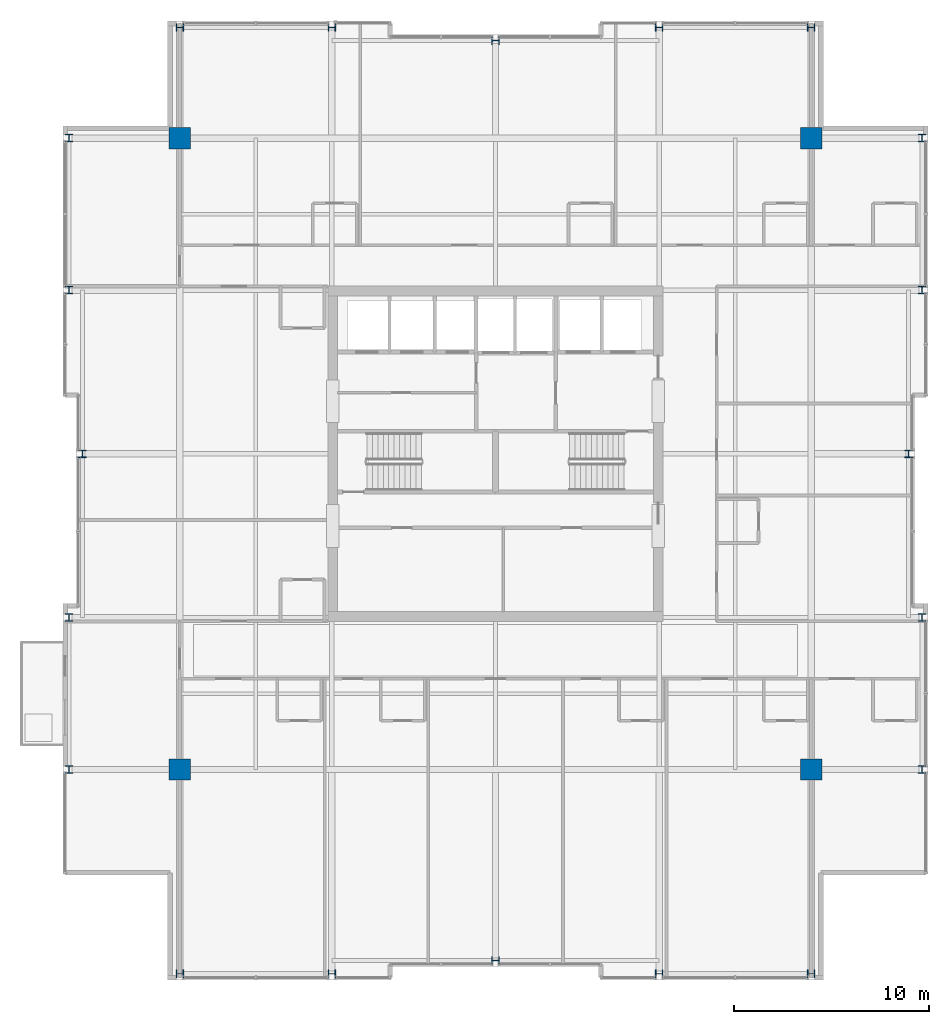
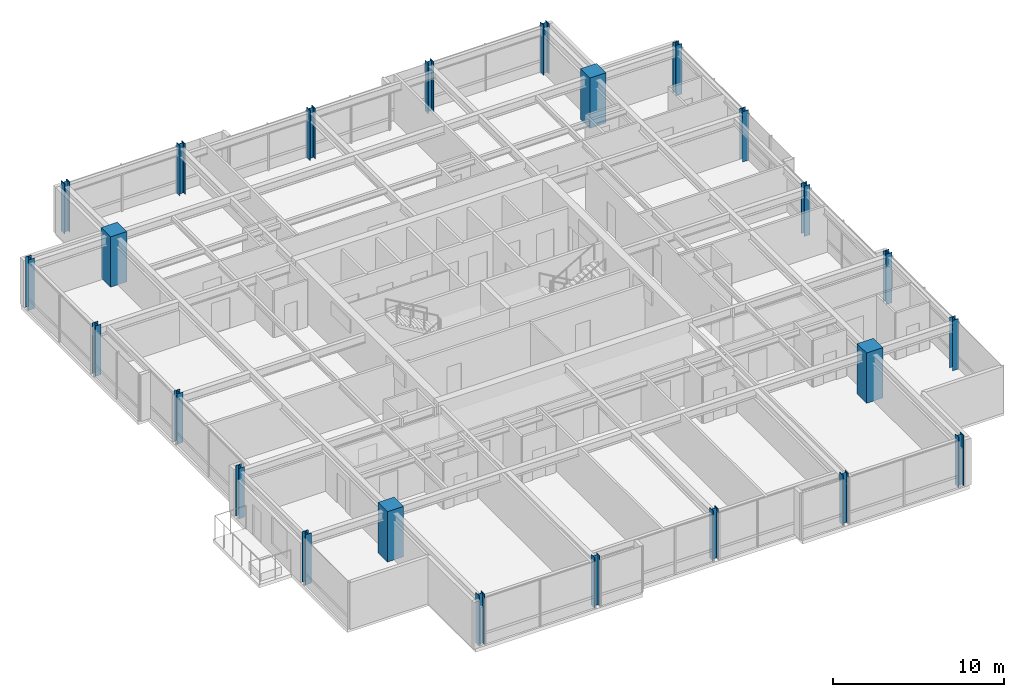
# One storey, part 1 of 31: 24 columns.
"""IFC4 building model written with IfcOpenShell, lengths in metres."""

from ifc_helpers import new_model, si_unit, direction, frame, origin, origin_2d, place, context, subcontext, project, spatial, rectangle, i_section, extrude, material, material_profile, profile_set, type_object, element, save


model = new_model("IFC4")

# Units and contexts
model_context = context("Model", 3, precision=1e-05, world=origin(), true_north=direction((0.0, 1.0)))
body_context = subcontext(model_context, "Body", "Model", "MODEL_VIEW")
ifc_project = project(units=[si_unit("LENGTHUNIT", "METRE"), si_unit("AREAUNIT", "SQUARE_METRE"), si_unit("VOLUMEUNIT", "CUBIC_METRE"), si_unit("PLANEANGLEUNIT", "RADIAN"), si_unit("MASSUNIT", "GRAM", prefix="KILO")], contexts=[model_context])

# Site, building, storey
site_placement = place(None, origin())
site = spatial("IfcSite", under=ifc_project, at=site_placement, CompositionType="ELEMENT")
building_placement = place(site_placement, origin())
building = spatial("IfcBuilding", under=site, at=building_placement, Name="Drelvath Grand Hotel", CompositionType="ELEMENT")
storey_placement = place(building_placement, frame((0.0, 0.0, 230.300048828125)))
storey = spatial("IfcBuildingStorey", under=building, at=storey_placement, Name="L60", CompositionType="ELEMENT", Elevation=230.300048828125)

# Columns
ifc_material_1 = material(Name="Concrete f'c 55 MPa", Category="concrete")
ifc_material_profile_1 = material_profile(ifc_material_1, rectangle(XDim=1.10009765625, YDim=1.10009765625, at=origin_2d()), Name="MC1100X1100")
ifc_profile_set_1 = profile_set([ifc_material_profile_1], Name="Concrete f'c 55 MPa")
column_type_1 = type_object("IfcColumnType", Name="Composite Mega Column MC1100X1100", PredefinedType="COLUMN", material=ifc_profile_set_1)
for number, where, z_axis, x_axis, name in (
    (1, (-16.199951171875, 10.800048828125, 0.0), (0.0, 0.0, 1.0), (1.0, 0.0, 0.0), "L60 Composite Mega Column MC-SW"),
    (2, (16.199951171875, 10.800048828125, 0.0), (0.0, 0.0, 1.0), (1.0, 0.0, 0.0), "L60 Composite Mega Column MC-SE"),
    (3, (-16.199951171875, 43.199951171875, 0.0), (0.0, 0.0, 1.0), (1.0, 0.0, 0.0), "L60 Composite Mega Column MC-NW"),
    (4, (16.199951171875, 43.199951171875, 0.0), (0.0, 0.0, 1.0), (1.0, 0.0, 0.0), "L60 Composite Mega Column MC-NE"),
):
    element("IfcColumn", number, at=place(storey_placement, frame(where, z_axis=z_axis, x_axis=x_axis)), inside=storey, type_object=column_type_1, Name=name, PredefinedType="COLUMN", context=body_context, shape_type="SweptSolid", body=[
        extrude(rectangle(XDim=1.10009765625, YDim=1.10009765625, at=origin_2d()), origin(), (0.0, 0.0, 1.0), 3.599853515625),
    ])
ifc_material_2 = material(Name="Steel ASTM A913 Gr 65", Category="steel")
ifc_material_profile_2 = material_profile(ifc_material_2, i_section(OverallWidth=0.3974609375, OverallDepth=0.38671875, WebThickness=0.02099609375, FlangeThickness=0.033203125, FilletRadius=0.02490234375, at=origin_2d()), Name="W14X176")
ifc_profile_set_2 = profile_set([ifc_material_profile_2], Name="Steel ASTM A913 Gr 65")
column_type_2 = type_object("IfcColumnType", Name="Perimeter Steel Column W14X176", PredefinedType="COLUMN", material=ifc_profile_set_2)
for number, where, z_axis, x_axis, name in (
    (5, (-21.8798828125, 10.800048828125, 0.0), (0.0, 0.0, 1.0), (1.0, 0.0, 0.0), "L60 Structural Column TCW-C"),
    (6, (21.8798828125, 10.800048828125, 0.0), (0.0, 0.0, 1.0), (1.0, 0.0, 0.0), "L60 Structural Column TCE-C"),
    (7, (-21.8798828125, 18.60009765625, 0.0), (0.0, 0.0, 1.0), (1.0, 0.0, 0.0), "L60 Structural Column TCW-D"),
    (8, (21.8798828125, 18.60009765625, 0.0), (0.0, 0.0, 1.0), (1.0, 0.0, 0.0), "L60 Structural Column TCE-D"),
    (9, (-21.199951171875, 27.0, 0.0), (0.0, 0.0, 1.0), (1.0, 0.0, 0.0), "L60 Structural Column TCW-E"),
    (10, (21.199951171875, 27.0, 0.0), (0.0, 0.0, 1.0), (1.0, 0.0, 0.0), "L60 Structural Column TCE-E"),
    (11, (-21.8798828125, 35.39990234375, 0.0), (0.0, 0.0, 1.0), (1.0, 0.0, 0.0), "L60 Structural Column TCW-F"),
    (12, (21.8798828125, 35.39990234375, 0.0), (0.0, 0.0, 1.0), (1.0, 0.0, 0.0), "L60 Structural Column TCE-F"),
    (13, (-21.8798828125, 43.199951171875, 0.0), (0.0, 0.0, 1.0), (1.0, 0.0, 0.0), "L60 Structural Column TCW-G"),
    (14, (21.8798828125, 43.199951171875, 0.0), (0.0, 0.0, 1.0), (1.0, 0.0, 0.0), "L60 Structural Column TCE-G"),
    (15, (-16.199951171875, 0.320068359375, 0.0), (0.0, 0.0, 1.0), (0.0, 1.0, 0.0), "L60 Structural Column TCS-3"),
    (16, (-16.199951171875, 48.8798828125, 0.0), (0.0, 0.0, 1.0), (0.0, 1.0, 0.0), "L60 Structural Column TCN-3"),
    (17, (-8.39990234375, 0.320068359375, 0.0), (0.0, 0.0, 1.0), (0.0, 1.0, 0.0), "L60 Structural Column TCS-4"),
    (18, (-8.39990234375, 48.8798828125, 0.0), (0.0, 0.0, 1.0), (0.0, 1.0, 0.0), "L60 Structural Column TCN-4"),
    (19, (0.0, 1.0, 0.0), (0.0, 0.0, 1.0), (0.0, 1.0, 0.0), "L60 Structural Column TCS-5"),
    (20, (0.0, 48.199951171875, 0.0), (0.0, 0.0, 1.0), (0.0, 1.0, 0.0), "L60 Structural Column TCN-5"),
    (21, (8.39990234375, 0.320068359375, 0.0), (0.0, 0.0, 1.0), (0.0, 1.0, 0.0), "L60 Structural Column TCS-6"),
    (22, (8.39990234375, 48.8798828125, 0.0), (0.0, 0.0, 1.0), (0.0, 1.0, 0.0), "L60 Structural Column TCN-6"),
    (23, (16.199951171875, 0.320068359375, 0.0), (0.0, 0.0, 1.0), (0.0, 1.0, 0.0), "L60 Structural Column TCS-7"),
    (24, (16.199951171875, 48.8798828125, 0.0), (0.0, 0.0, 1.0), (0.0, 1.0, 0.0), "L60 Structural Column TCN-7"),
):
    element("IfcColumn", number, at=place(storey_placement, frame(where, z_axis=z_axis, x_axis=x_axis)), inside=storey, type_object=column_type_2, Name=name, PredefinedType="COLUMN", context=body_context, shape_type="SweptSolid", body=[
        extrude(i_section(OverallWidth=0.3974609375, OverallDepth=0.38671875, WebThickness=0.02099609375, FlangeThickness=0.033203125, FilletRadius=0.02490234375, at=origin_2d()), origin(), (0.0, 0.0, 1.0), 3.596923828125),
    ])

save(model, "model.ifc")
